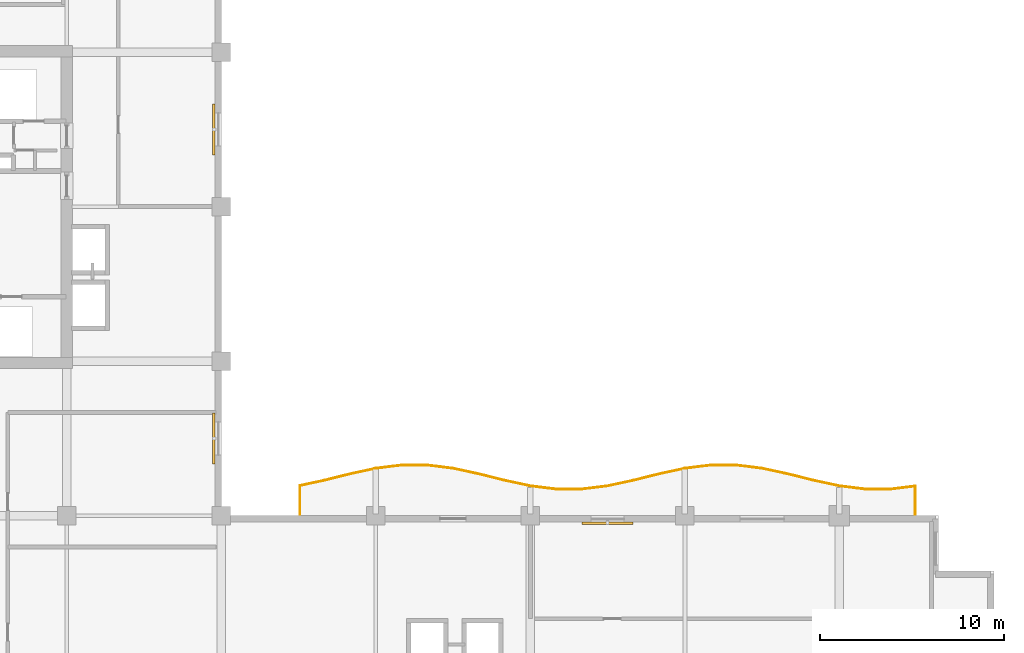
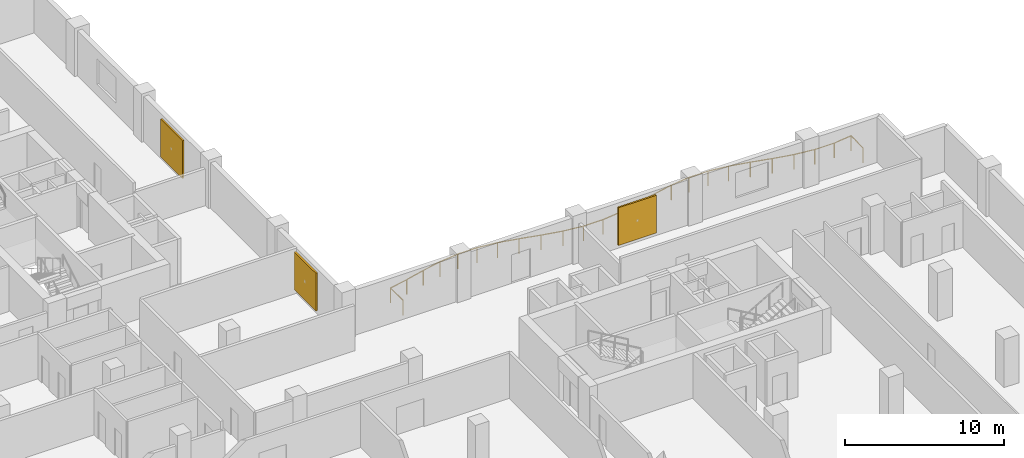
# One storey, part 15 of 15: 3 shading devices, 1 railing.
"""IFC4 building model written with IfcOpenShell, lengths in metres."""

import ifcopenshell
import ifcopenshell.guid

model = None  # the IFC model being written
_history = None  # IfcOwnerHistory: only IFC2X3 demands one
_inside = {}  # id of a spatial element -> (the spatial element, [elements in it])
_under = {}  # id of a project, library or spatial element -> (it, [spatial elements below it])
_declared = {}  # id of a project -> (the project, [libraries it declares])
_typed = {}  # id of a type object -> (the type object, [elements of that type])
_made_of = {}  # id of a material, layer set ... -> (it, [elements and type objects made of it])


def new_model(schema):
    """Start an empty IFC model of exactly this schema.

    Asked for "IFC4X3", IfcOpenShell would pick the latest addendum, in which some entities
    have other attributes; the version numbers below select the first issue.
    IFC2X3 requires an IfcOwnerHistory on every rooted entity: one is made here for all.
    """
    global model, _history
    if schema == "IFC4X3":
        model = ifcopenshell.file(schema_version=(4, 3, 0, 0))
    else:
        model = ifcopenshell.file(schema=schema)
    _inside.clear()
    _under.clear()
    _declared.clear()
    _typed.clear()
    _made_of.clear()
    _history = None
    if model.schema == "IFC2X3":
        org = make("IfcOrganization", Name="unknown")
        user = make(
            "IfcPersonAndOrganization",
            ThePerson=make("IfcPerson", FamilyName="unknown"),
            TheOrganization=org,
        )
        app = make(
            "IfcApplication",
            ApplicationDeveloper=org,
            Version="unknown",
            ApplicationFullName="unknown",
            ApplicationIdentifier="unknown",
        )
        _history = make(
            "IfcOwnerHistory",
            OwningUser=user,
            OwningApplication=app,
            ChangeAction="ADDED",
            CreationDate=0,
        )
    return model


def make(cls, **values):
    """One entity of the class cls with the attributes given. An attribute that is None is left unset."""
    return model.create_entity(
        cls, **{name: value for name, value in values.items() if value is not None}
    )


def rooted(cls, **values):
    """An entity with a GlobalId (a new one), such as an element, a storey or a relation."""
    return make(cls, GlobalId=ifcopenshell.guid.new(), OwnerHistory=_history, **values)


def si_unit(unit_type, name, prefix=None):
    """IfcSIUnit, for example si_unit("LENGTHUNIT", "METRE", prefix="MILLI")."""
    return make("IfcSIUnit", UnitType=unit_type, Prefix=prefix, Name=name)


def assignment(units):
    """IfcUnitAssignment: the units of a project."""
    return None if units is None else make("IfcUnitAssignment", Units=units)


def point(xyz):
    """IfcCartesianPoint."""
    return None if xyz is None else make("IfcCartesianPoint", Coordinates=xyz)


def direction(xyz):
    """IfcDirection."""
    return None if xyz is None else make("IfcDirection", DirectionRatios=xyz)


def frame(location, z_axis=None, x_axis=None):
    """IfcAxis2Placement3D, a coordinate frame: its origin and axes. An axis left out is left unset."""
    return make(
        "IfcAxis2Placement3D",
        Location=point(location),
        Axis=direction(z_axis),
        RefDirection=direction(x_axis),
    )


def frame_2d(location, x_axis=None):
    """IfcAxis2Placement2D, a coordinate frame in the plane: its origin and x axis."""
    return make(
        "IfcAxis2Placement2D", Location=point(location), RefDirection=direction(x_axis)
    )


def origin():
    """The frame at (0, 0, 0) with its axes left unset."""
    return frame((0.0, 0.0, 0.0))


def origin_2d():
    """The frame at (0, 0) in the plane with its x axis left unset."""
    return frame_2d((0.0, 0.0))


def place(relative_to, where):
    """IfcLocalPlacement: puts the frame where relative to a parent placement (None: the world)."""
    return make(
        "IfcLocalPlacement", PlacementRelTo=relative_to, RelativePlacement=where
    )


def context(
    kind, dimensions, precision=None, world=None, true_north=None, identifier=None
):
    """IfcGeometricRepresentationContext, for example the 3D "Model" context."""
    return make(
        "IfcGeometricRepresentationContext",
        ContextIdentifier=identifier,
        ContextType=kind,
        CoordinateSpaceDimension=dimensions,
        Precision=precision,
        WorldCoordinateSystem=world,
        TrueNorth=true_north,
    )


def subcontext(parent, identifier, kind, view, scale=None):
    """IfcGeometricRepresentationSubContext, for example "Body" below "Model"."""
    return make(
        "IfcGeometricRepresentationSubContext",
        ContextIdentifier=identifier,
        ContextType=kind,
        ParentContext=parent,
        TargetScale=scale,
        TargetView=view,
    )


def project(units=None, contexts=None):
    """IfcProject with its units and contexts."""
    return rooted(
        "IfcProject",
        Name="project",
        RepresentationContexts=contexts,
        UnitsInContext=assignment(units),
    )


def spatial(cls, under=None, at=None, **own):
    """A site, building, storey or space (cls), placed at a placement, below another one or the project."""
    s = rooted(cls, ObjectPlacement=at, **own)
    if under is not None:
        _under.setdefault(under.id(), (under, []))[1].append(s)
    return s


def profile(cls, at=None, kind="AREA", **sizes):
    """A parametric profile (cls). Its sizes go by their IFC names, for example OverallWidth=200.0."""
    return make(cls, ProfileType=kind, Position=at, **sizes)


def rectangle(**sizes):
    """IfcRectangleProfileDef."""
    return profile("IfcRectangleProfileDef", **sizes)


def circle(**sizes):
    """IfcCircleProfileDef."""
    return profile("IfcCircleProfileDef", **sizes)


def extrude(swept, where, along, depth):
    """IfcExtrudedAreaSolid: the profile swept, set in the frame where, extruded along a direction by depth."""
    return make(
        "IfcExtrudedAreaSolid",
        SweptArea=swept,
        Position=where,
        ExtrudedDirection=direction(along),
        Depth=depth,
    )


def shape(context_of_items, identifier, shape_type, items):
    """IfcShapeRepresentation: the items that make up one representation, for example the "Body"."""
    return make(
        "IfcShapeRepresentation",
        ContextOfItems=context_of_items,
        RepresentationIdentifier=identifier,
        RepresentationType=shape_type,
        Items=items,
    )


def material(Name=None, Category=None):
    """IfcMaterial."""
    return make("IfcMaterial", Name=Name, Category=Category)


def layer(
    of_material, thickness, ventilated=None, Name=None, Category=None, Priority=None
):
    """IfcMaterialLayer: one layer of a wall or slab, of a material (None: an air gap)."""
    return make(
        "IfcMaterialLayer",
        Material=of_material,
        LayerThickness=thickness,
        IsVentilated=ventilated,
        Name=Name,
        Category=Category,
        Priority=Priority,
    )


def layer_set(layers, Name=None):
    """IfcMaterialLayerSet."""
    return make("IfcMaterialLayerSet", MaterialLayers=layers, LayerSetName=Name)


def made_of(thing, what):
    """Note that an element or type object is made of a material, layer set ...; save() writes the relation."""
    if what is not None:
        _made_of.setdefault(what.id(), (what, []))[1].append(thing)
    return thing


def type_object(cls, material=None, **own):
    """A type object (cls), such as IfcWallType, which elements share."""
    return made_of(rooted(cls, **own), material)


def element(
    cls,
    number,
    at=None,
    inside=None,
    cuts=None,
    type_object=None,
    material=None,
    context=None,
    identifier="Body",
    shape_type=None,
    held_by="IfcProductDefinitionShape",
    body=None,
    shapes=None,
    **own,
):
    """One element of the class cls, such as IfcWall. Its Tag is "e" and its number.

    at: its placement. inside: the storey or other place that contains it. cuts: it is an
    opening in that element (IfcRelVoidsElement). A single representation is given by context,
    identifier, shape_type and body (its items); several are given by shapes. held_by: the class
    of the entity that holds the representations. save() writes the other relations.
    """
    e = rooted(cls, Tag="e%d" % number, ObjectPlacement=at, **own)
    if body is not None:
        shapes = [shape(context, identifier, shape_type, body)]
    if shapes is not None:
        e.Representation = make(held_by, Representations=shapes)
    if inside is not None:
        _inside.setdefault(inside.id(), (inside, []))[1].append(e)
    if cuts is not None:
        rooted(
            "IfcRelVoidsElement", RelatingBuildingElement=cuts, RelatedOpeningElement=e
        )
    if type_object is not None:
        _typed.setdefault(type_object.id(), (type_object, []))[1].append(e)
    return made_of(e, material)


def aggregate(whole, parts):
    """IfcRelAggregates: a whole, such as a stair, and the parts it consists of."""
    return rooted("IfcRelAggregates", RelatingObject=whole, RelatedObjects=parts)


def save(model, path):
    """Write the relations noted so far, then the file.

    IfcRelAggregates (storeys below a building ...), IfcRelContainedInSpatialStructure (elements
    in a storey), IfcRelDefinesByType, IfcRelAssociatesMaterial and IfcRelDeclares: one each for
    every whole, place, type object, material and project.
    """
    for whole, parts in _under.values():
        aggregate(whole, parts)
    for where, things in _inside.values():
        rooted(
            "IfcRelContainedInSpatialStructure",
            RelatedElements=things,
            RelatingStructure=where,
        )
    for kind, things in _typed.values():
        rooted("IfcRelDefinesByType", RelatedObjects=things, RelatingType=kind)
    for what, things in _made_of.values():
        rooted("IfcRelAssociatesMaterial", RelatedObjects=things, RelatingMaterial=what)
    for by, libraries in _declared.values():
        rooted("IfcRelDeclares", RelatingContext=by, RelatedDefinitions=libraries)
    model.write(path)


model = new_model("IFC4")

# Units and contexts
model_context = context("Model", 3, precision=1e-05, world=origin(), true_north=direction((0.0, 1.0)))
body_context = subcontext(model_context, "Body", "Model", "MODEL_VIEW")
ifc_project = project(units=[si_unit("LENGTHUNIT", "METRE"), si_unit("AREAUNIT", "SQUARE_METRE"), si_unit("VOLUMEUNIT", "CUBIC_METRE"), si_unit("PLANEANGLEUNIT", "RADIAN"), si_unit("MASSUNIT", "GRAM", prefix="KILO")], contexts=[model_context])

# Site, building, storey
site_placement = place(None, origin())
site = spatial("IfcSite", under=ifc_project, at=site_placement, CompositionType="ELEMENT")
building_placement = place(site_placement, origin())
building = spatial("IfcBuilding", under=site, at=building_placement, Name="Koriwani Terraces Tower", CompositionType="ELEMENT")
storey_placement = place(building_placement, frame((0.0, 0.0, 216.10009765625)))
storey = spatial("IfcBuildingStorey", under=building, at=storey_placement, Name="L53", CompositionType="ELEMENT", Elevation=216.10009765625)

# Railing
ifc_material_1 = material(Name="Steel ASTM A572 Grade 50", Category="steel")
railing_type = type_object("IfcRailingType", Name="GUARD_BALUSTRADE_1150", PredefinedType="BALUSTRADE", material=ifc_material_1)
railing_placement = place(storey_placement, frame((71.320068359375, 33.679931640625, 0.0)))
element("IfcRailing", 1, at=railing_placement, inside=storey, type_object=railing_type, Name="L53 Balcony Perimeter Safety Balustrade (NE)", PredefinedType="BALUSTRADE", context=body_context, shape_type="SweptSolid", body=[
    extrude(circle(Radius=0.02392578125, at=origin_2d()), frame((0.0, 0.0, 1.1259765625), z_axis=(0.0, 1.0, 0.0), x_axis=(-1.0, 0.0, 0.0)), (0.0, 0.0, 1.0), 1.527099609375),
    extrude(circle(Radius=0.02392578125, at=origin_2d()), frame((0.0, 1.527099609375, 1.1259765625), z_axis=(-0.992331628798, -0.123603958219, 0.0), x_axis=(0.123603958219, -0.992331628798, 0.0)), (0.0, 0.0, 1.0), 1.325439453125),
    extrude(circle(Radius=0.02392578125, at=origin_2d()), frame((-1.315185546875, 1.36328125, 1.1259765625), z_axis=(-1.0, 0.0, 0.0), x_axis=(0.0, -1.0, 0.0)), (0.0, 0.0, 1.0), 1.409912109375),
    extrude(circle(Radius=0.02392578125, at=origin_2d()), frame((-2.72509765625, 1.36328125, 1.1259765625), z_axis=(-0.992301674614, 0.12384420276, 0.0), x_axis=(-0.12384420276, -0.992301674614, 0.0)), (0.0, 0.0, 1.0), 1.41943359375),
    extrude(circle(Radius=0.02392578125, at=origin_2d()), frame((-4.133544921875, 1.5390625, 1.1259765625), z_axis=(-0.977445455552, 0.211188023857, 0.0), x_axis=(-0.211188023857, -0.977445455552, 0.0)), (0.0, 0.0, 1.0), 1.43701171875),
    extrude(circle(Radius=0.02392578125, at=origin_2d()), frame((-5.5380859375, 1.842529296875, 1.1259765625), z_axis=(-0.970251871253, 0.242097720621, 0.0), x_axis=(-0.242097720621, -0.970251871253, 0.0)), (0.0, 0.0, 1.0), 1.443115234375),
    extrude(circle(Radius=0.02392578125, at=origin_2d()), frame((-6.938232421875, 2.19189453125, 1.1259765625), z_axis=(-0.977438029446, 0.211222391315, 0.0), x_axis=(-0.211222391315, -0.977438029446, 0.0)), (0.0, 0.0, 1.0), 1.427490234375),
    extrude(circle(Radius=0.02392578125, at=origin_2d()), frame((-8.33349609375, 2.493408203125, 1.1259765625), z_axis=(-0.992309982997, 0.123777613669, 0.0), x_axis=(-0.123777613669, -0.992309982997, 0.0)), (0.0, 0.0, 1.0), 1.40234375),
    extrude(circle(Radius=0.02392578125, at=origin_2d()), frame((-9.72509765625, 2.6669921875, 1.1259765625), z_axis=(-1.0, 0.0, 0.0), x_axis=(0.0, -1.0, 0.0)), (0.0, 0.0, 1.0), 1.389892578125),
    extrude(circle(Radius=0.02392578125, at=origin_2d()), frame((-11.114990234375, 2.6669921875, 1.1259765625), z_axis=(-0.992309982997, -0.123777613669, 0.0), x_axis=(0.123777613669, -0.992309982997, 0.0)), (0.0, 0.0, 1.0), 1.40234375),
    extrude(circle(Radius=0.02392578125, at=origin_2d()), frame((-12.506591796875, 2.493408203125, 1.1259765625), z_axis=(-0.977438029446, -0.211222391315, 0.0), x_axis=(0.211222391315, -0.977438029446, 0.0)), (0.0, 0.0, 1.0), 1.427490234375),
    extrude(circle(Radius=0.02392578125, at=origin_2d()), frame((-13.90185546875, 2.19189453125, 1.1259765625), z_axis=(-0.970251871253, -0.242097720621, 0.0), x_axis=(0.242097720621, -0.970251871253, 0.0)), (0.0, 0.0, 1.0), 1.443115234375),
    extrude(circle(Radius=0.02392578125, at=origin_2d()), frame((-15.302001953125, 1.842529296875, 1.1259765625), z_axis=(-0.977453031353, -0.21115295759, 0.0), x_axis=(0.21115295759, -0.977453031353, 0.0)), (0.0, 0.0, 1.0), 1.437255859375),
    extrude(circle(Radius=0.02392578125, at=origin_2d()), frame((-16.706787109375, 1.5390625, 1.1259765625), z_axis=(-0.992299035819, -0.123865344277, 0.0), x_axis=(0.123865344277, -0.992299035819, 0.0)), (0.0, 0.0, 1.0), 1.419189453125),
    extrude(circle(Radius=0.02392578125, at=origin_2d()), frame((-18.114990234375, 1.36328125, 1.1259765625), z_axis=(-1.0, 0.0, 0.0), x_axis=(0.0, -1.0, 0.0)), (0.0, 0.0, 1.0), 1.41015625),
    extrude(circle(Radius=0.02392578125, at=origin_2d()), frame((-19.525146484375, 1.36328125, 1.1259765625), z_axis=(-0.992299035819, 0.123865344277, 0.0), x_axis=(-0.123865344277, -0.992299035819, 0.0)), (0.0, 0.0, 1.0), 1.419189453125),
    extrude(circle(Radius=0.02392578125, at=origin_2d()), frame((-20.933349609375, 1.5390625, 1.1259765625), z_axis=(-0.977453031353, 0.21115295759, 0.0), x_axis=(-0.21115295759, -0.977453031353, 0.0)), (0.0, 0.0, 1.0), 1.437255859375),
    extrude(circle(Radius=0.02392578125, at=origin_2d()), frame((-22.338134765625, 1.842529296875, 1.1259765625), z_axis=(-0.970251871253, 0.242097720621, 0.0), x_axis=(-0.242097720621, -0.970251871253, 0.0)), (0.0, 0.0, 1.0), 1.443115234375),
    extrude(circle(Radius=0.02392578125, at=origin_2d()), frame((-23.73828125, 2.19189453125, 1.1259765625), z_axis=(-0.977438029446, 0.211222391315, 0.0), x_axis=(-0.211222391315, -0.977438029446, 0.0)), (0.0, 0.0, 1.0), 1.427490234375),
    extrude(circle(Radius=0.02392578125, at=origin_2d()), frame((-25.133544921875, 2.493408203125, 1.1259765625), z_axis=(-0.992309982997, 0.123777613669, 0.0), x_axis=(-0.123777613669, -0.992309982997, 0.0)), (0.0, 0.0, 1.0), 1.40234375),
    extrude(circle(Radius=0.02392578125, at=origin_2d()), frame((-26.525146484375, 2.6669921875, 1.1259765625), z_axis=(-1.0, 0.0, 0.0), x_axis=(0.0, -1.0, 0.0)), (0.0, 0.0, 1.0), 1.389892578125),
    extrude(circle(Radius=0.02392578125, at=origin_2d()), frame((-27.9150390625, 2.6669921875, 1.1259765625), z_axis=(-0.992309982997, -0.123777613669, 0.0), x_axis=(0.123777613669, -0.992309982997, 0.0)), (0.0, 0.0, 1.0), 1.40234375),
    extrude(circle(Radius=0.02392578125, at=origin_2d()), frame((-29.306640625, 2.493408203125, 1.1259765625), z_axis=(-0.977438029446, -0.211222391315, 0.0), x_axis=(0.211222391315, -0.977438029446, 0.0)), (0.0, 0.0, 1.0), 1.427490234375),
    extrude(circle(Radius=0.02392578125, at=origin_2d()), frame((-30.701904296875, 2.19189453125, 1.1259765625), z_axis=(-0.970251871253, -0.242097720621, 0.0), x_axis=(0.242097720621, -0.970251871253, 0.0)), (0.0, 0.0, 1.0), 1.443115234375),
    extrude(circle(Radius=0.02392578125, at=origin_2d()), frame((-32.10205078125, 1.842529296875, 1.1259765625), z_axis=(-0.977417151998, -0.211318979222, 0.0), x_axis=(0.211318979222, -0.977417151998, 0.0)), (0.0, 0.0, 1.0), 1.369140625),
    extrude(circle(Radius=0.02392578125, at=origin_2d()), frame((-33.440185546875, 1.55322265625, 1.1259765625), z_axis=(0.0, -1.0, 0.0), x_axis=(1.0, 0.0, 0.0)), (0.0, 0.0, 1.0), 1.55322265625),
    extrude(circle(Radius=0.02099609375, at=origin_2d()), origin(), (0.0, 0.0, 1.0), 1.101806640625),
    extrude(circle(Radius=0.02099609375, at=origin_2d()), frame((0.0, 1.527099609375, 0.0)), (0.0, 0.0, 1.0), 1.101806640625),
    extrude(circle(Radius=0.02099609375, at=origin_2d()), frame((-1.315185546875, 1.36328125, 0.0)), (0.0, 0.0, 1.0), 1.101806640625),
    extrude(circle(Radius=0.02099609375, at=origin_2d()), frame((-2.72509765625, 1.36328125, 0.0)), (0.0, 0.0, 1.0), 1.101806640625),
    extrude(circle(Radius=0.02099609375, at=origin_2d()), frame((-4.133544921875, 1.5390625, 0.0)), (0.0, 0.0, 1.0), 1.101806640625),
    extrude(circle(Radius=0.02099609375, at=origin_2d()), frame((-5.5380859375, 1.842529296875, 0.0)), (0.0, 0.0, 1.0), 1.101806640625),
    extrude(circle(Radius=0.02099609375, at=origin_2d()), frame((-6.938232421875, 2.19189453125, 0.0)), (0.0, 0.0, 1.0), 1.101806640625),
    extrude(circle(Radius=0.02099609375, at=origin_2d()), frame((-8.33349609375, 2.493408203125, 0.0)), (0.0, 0.0, 1.0), 1.101806640625),
    extrude(circle(Radius=0.02099609375, at=origin_2d()), frame((-9.72509765625, 2.6669921875, 0.0)), (0.0, 0.0, 1.0), 1.101806640625),
    extrude(circle(Radius=0.02099609375, at=origin_2d()), frame((-11.114990234375, 2.6669921875, 0.0)), (0.0, 0.0, 1.0), 1.101806640625),
    extrude(circle(Radius=0.02099609375, at=origin_2d()), frame((-12.506591796875, 2.493408203125, 0.0)), (0.0, 0.0, 1.0), 1.101806640625),
    extrude(circle(Radius=0.02099609375, at=origin_2d()), frame((-13.90185546875, 2.19189453125, 0.0)), (0.0, 0.0, 1.0), 1.101806640625),
    extrude(circle(Radius=0.02099609375, at=origin_2d()), frame((-15.302001953125, 1.842529296875, 0.0)), (0.0, 0.0, 1.0), 1.101806640625),
    extrude(circle(Radius=0.02099609375, at=origin_2d()), frame((-16.706787109375, 1.5390625, 0.0)), (0.0, 0.0, 1.0), 1.101806640625),
    extrude(circle(Radius=0.02099609375, at=origin_2d()), frame((-18.114990234375, 1.36328125, 0.0)), (0.0, 0.0, 1.0), 1.101806640625),
    extrude(circle(Radius=0.02099609375, at=origin_2d()), frame((-19.525146484375, 1.36328125, 0.0)), (0.0, 0.0, 1.0), 1.101806640625),
    extrude(circle(Radius=0.02099609375, at=origin_2d()), frame((-20.933349609375, 1.5390625, 0.0)), (0.0, 0.0, 1.0), 1.101806640625),
    extrude(circle(Radius=0.02099609375, at=origin_2d()), frame((-22.338134765625, 1.842529296875, 0.0)), (0.0, 0.0, 1.0), 1.101806640625),
    extrude(circle(Radius=0.02099609375, at=origin_2d()), frame((-23.73828125, 2.19189453125, 0.0)), (0.0, 0.0, 1.0), 1.101806640625),
    extrude(circle(Radius=0.02099609375, at=origin_2d()), frame((-25.133544921875, 2.493408203125, 0.0)), (0.0, 0.0, 1.0), 1.101806640625),
    extrude(circle(Radius=0.02099609375, at=origin_2d()), frame((-26.525146484375, 2.6669921875, 0.0)), (0.0, 0.0, 1.0), 1.101806640625),
    extrude(circle(Radius=0.02099609375, at=origin_2d()), frame((-27.9150390625, 2.6669921875, 0.0)), (0.0, 0.0, 1.0), 1.101806640625),
    extrude(circle(Radius=0.02099609375, at=origin_2d()), frame((-29.306640625, 2.493408203125, 0.0)), (0.0, 0.0, 1.0), 1.101806640625),
    extrude(circle(Radius=0.02099609375, at=origin_2d()), frame((-30.701904296875, 2.19189453125, 0.0)), (0.0, 0.0, 1.0), 1.101806640625),
    extrude(circle(Radius=0.02099609375, at=origin_2d()), frame((-32.10205078125, 1.842529296875, 0.0)), (0.0, 0.0, 1.0), 1.101806640625),
    extrude(circle(Radius=0.02099609375, at=origin_2d()), frame((-33.440185546875, 1.55322265625, 0.0)), (0.0, 0.0, 1.0), 1.101806640625),
    extrude(circle(Radius=0.02099609375, at=origin_2d()), frame((-33.440185546875, 0.0, 0.0)), (0.0, 0.0, 1.0), 1.101806640625),
])

# Shading devices
ifc_material_2 = material(Name="Extruded Terracotta Clay", Category="masonry")
ifc_layer = layer(ifc_material_2, 0.1201171875, Name="Extruded Terracotta Clay")
ifc_layer_set = layer_set([ifc_layer], Name="Extruded Terracotta Clay")
shading_device_type = type_object("IfcShadingDeviceType", Name="TERRACOTTA_BAGUETTE_SCREEN_2800", PredefinedType="USERDEFINED", material=ifc_layer_set)
for number, where, z_axis, x_axis, name in (
    (2, (33.195068359375, 37.800048828125, 0.284912109375), (0.0, 0.0, 1.0), (0.0, -1.0, 0.0), "L53 Extruded Terracotta Baguette Screen (NW_IN-2)"),
    (3, (33.195068359375, 54.60009765625, 0.284912109375), (0.0, 0.0, 1.0), (0.0, -1.0, 0.0), "L53 Extruded Terracotta Baguette Screen (NW_IN-8)"),
    (4, (54.60009765625, 33.195068359375, 0.284912109375), (0.0, 0.0, 1.0), (1.0, 0.0, 0.0), "L53 Extruded Terracotta Baguette Screen (NE-8)"),
):
    element("IfcShadingDevice", number, at=place(storey_placement, frame(where, z_axis=z_axis, x_axis=x_axis)), inside=storey, type_object=shading_device_type, Name=name, ObjectType="BAGUETTE", PredefinedType="USERDEFINED", context=body_context, shape_type="SweptSolid", body=[
        extrude(rectangle(XDim=2.760009765625, YDim=0.1201171875, at=origin_2d()), origin(), (0.0, 0.0, 1.0), 2.89990234375),
    ])

save(model, "model.ifc")
